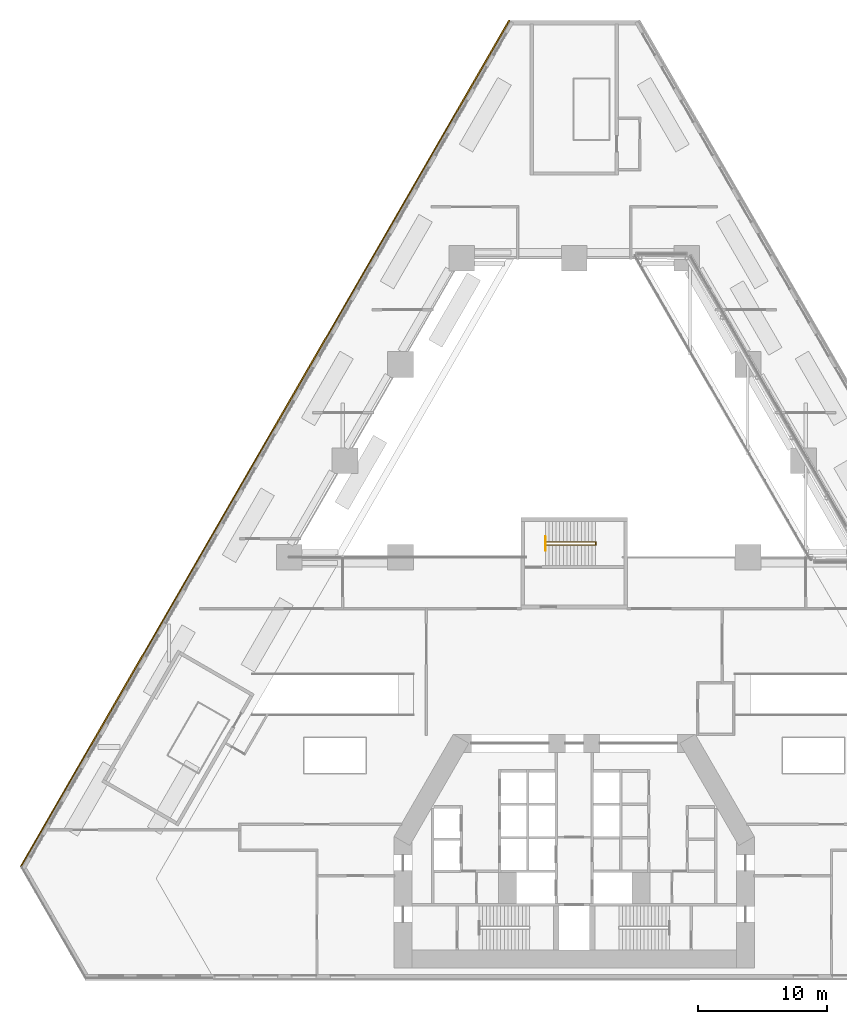
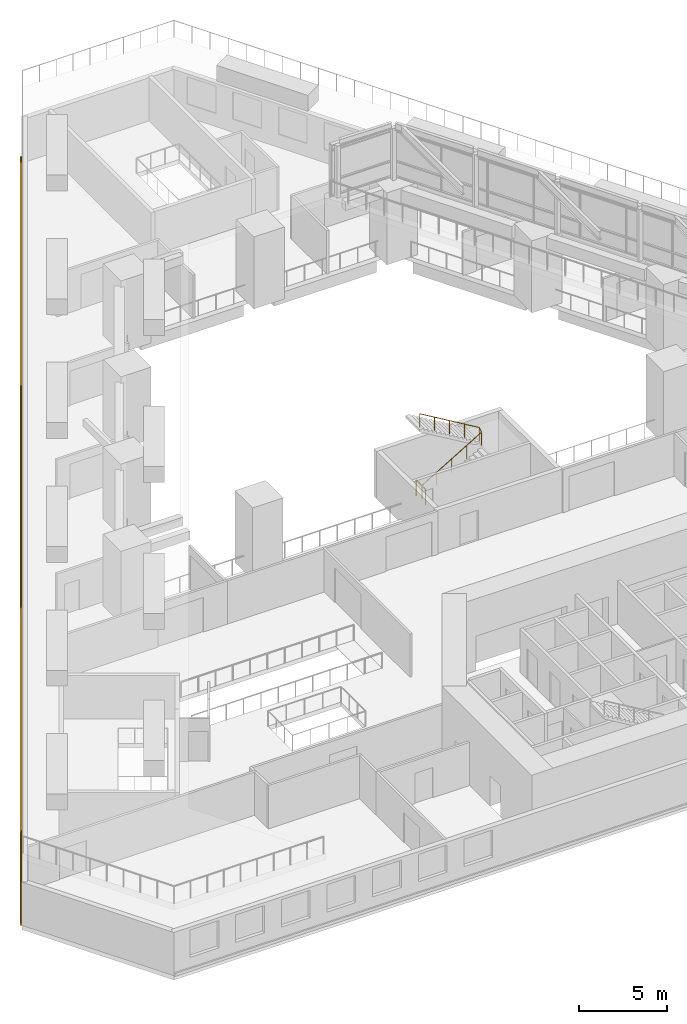
# One storey, part 17 of 19: 2 railings, 1 covering.
"""IFC4 building model written with IfcOpenShell, lengths in metres."""

from ifc_helpers import new_model, si_unit, direction, frame, origin, origin_2d, place, context, subcontext, project, spatial, polyline, circle, outline, extrude, material, type_object, element, save


model = new_model("IFC4")

# Units and contexts
model_context = context("Model", 3, precision=1e-05, world=origin(), true_north=direction((0.0, 1.0)))
body_context = subcontext(model_context, "Body", "Model", "MODEL_VIEW")
ifc_project = project(units=[si_unit("LENGTHUNIT", "METRE"), si_unit("AREAUNIT", "SQUARE_METRE"), si_unit("VOLUMEUNIT", "CUBIC_METRE"), si_unit("PLANEANGLEUNIT", "RADIAN"), si_unit("MASSUNIT", "GRAM", prefix="KILO")], contexts=[model_context])

# Site, building, storey
site_placement = place(None, origin())
site = spatial("IfcSite", under=ifc_project, at=site_placement, CompositionType="ELEMENT")
building_placement = place(site_placement, origin())
building = spatial("IfcBuilding", under=site, at=building_placement, Name="Fogline Exchange Tower", CompositionType="ELEMENT")
storey_placement = place(building_placement, frame((0.0, 0.0, 20.0)))
storey = spatial("IfcBuildingStorey", under=building, at=storey_placement, Name="L03", CompositionType="ELEMENT", Elevation=20.0)

# Railings
ifc_material_1 = material(Name="Steel Q235B", Category="steel")
railing_type_1 = type_object("IfcRailingType", Name="RL-GD", PredefinedType="GUARDRAIL", material=ifc_material_1)
railing_1_placement = place(storey_placement, frame((-2.239990234375, 33.306884765625, 0.0)))
element("IfcRailing", 1, at=railing_1_placement, inside=storey, type_object=railing_type_1, Name="Guard at well", PredefinedType="GUARDRAIL", context=body_context, shape_type="SweptSolid", body=[
    extrude(circle(Radius=0.02392578125, at=origin_2d()), frame((0.0, 0.0, 1.076171875), z_axis=(0.0, 1.0, 0.0), x_axis=(-1.0, 0.0, 0.0)), (0.0, 0.0, 1.0), 1.050048828125),
    extrude(circle(Radius=0.02099609375, at=origin_2d()), origin(), (0.0, 0.0, 1.0), 1.052001953125),
    extrude(circle(Radius=0.02099609375, at=origin_2d()), frame((0.0, 1.050048828125, 0.0)), (0.0, 0.0, 1.0), 1.052001953125),
])
railing_type_2 = type_object("IfcRailingType", Name="RL-HR", PredefinedType="HANDRAIL", material=ifc_material_1)
railing_2_placement = place(storey_placement, frame((-2.25, 33.70703125, 0.166748046875)))
element("IfcRailing", 2, at=railing_2_placement, inside=storey, type_object=railing_type_2, Name="Handrail ST3", PredefinedType="HANDRAIL", context=body_context, shape_type="SweptSolid", body=[
    extrude(circle(Radius=0.02392578125, at=origin_2d()), frame((0.0, 0.0, 0.92578125), z_axis=(0.859296244711, 0.0, 0.511478214419), x_axis=(0.0, 1.0, 0.0)), (0.0, 0.0, 1.0), 4.561767578125),
    extrude(circle(Radius=0.02392578125, at=origin_2d()), frame((3.919921875, 0.0, 3.25927734375), z_axis=(0.0, 0.831925284441, 0.554887665306), x_axis=(-1.0, 0.0, 0.0)), (0.0, 0.0, 1.0), 0.300537109375),
    extrude(circle(Radius=0.02392578125, at=origin_2d()), frame((3.919921875, 0.25, 3.42578125), z_axis=(-0.859296244711, 0.0, 0.511478214419), x_axis=(0.0, -1.0, 0.0)), (0.0, 0.0, 1.0), 4.561767578125),
    extrude(circle(Radius=0.02099609375, at=origin_2d()), origin(), (0.0, 0.0, 1.0), 0.90185546875),
    extrude(circle(Radius=0.02099609375, at=origin_2d()), frame((0.97998046875, 0.0, 0.583251953125)), (0.0, 0.0, 1.0), 0.90185546875),
    extrude(circle(Radius=0.02099609375, at=origin_2d()), frame((1.9599609375, 0.0, 1.16650390625)), (0.0, 0.0, 1.0), 0.90185546875),
    extrude(circle(Radius=0.02099609375, at=origin_2d()), frame((2.93994140625, 0.0, 1.75)), (0.0, 0.0, 1.0), 0.90185546875),
    extrude(circle(Radius=0.02099609375, at=origin_2d()), frame((3.919921875, 0.0, 2.333251953125)), (0.0, 0.0, 1.0), 0.90185546875),
    extrude(circle(Radius=0.02099609375, at=origin_2d()), frame((3.919921875, 0.25, 2.5)), (0.0, 0.0, 1.0), 0.90185546875),
    extrude(circle(Radius=0.02099609375, at=origin_2d()), frame((2.93994140625, 0.25, 3.083251953125)), (0.0, 0.0, 1.0), 0.90185546875),
    extrude(circle(Radius=0.02099609375, at=origin_2d()), frame((1.9599609375, 0.25, 3.66650390625)), (0.0, 0.0, 1.0), 0.90185546875),
    extrude(circle(Radius=0.02099609375, at=origin_2d()), frame((0.97998046875, 0.25, 4.25)), (0.0, 0.0, 1.0), 0.90185546875),
    extrude(circle(Radius=0.02099609375, at=origin_2d()), frame((0.0, 0.25, 4.833251953125)), (0.0, 0.0, 1.0), 0.90185546875),
])

# Covering
ifc_material_2 = material(Name="Brick masonry", Category="masonry")
covering_type = type_object("IfcCoveringType", Name="SB1", PredefinedType="CLADDING", material=ifc_material_2)
covering_placement = place(storey_placement, origin())
element("IfcCovering", 3, at=covering_placement, inside=storey, type_object=covering_type, Name="Stringcourse band L03 W", PredefinedType="CLADDING", context=body_context, shape_type="SweptSolid", body=[
    extrude(outline(polyline([(-5.0, 74.478271484375), (-5.086669921875, 74.5283203125), (-43.086669921875, 8.710205078125), (-43.0, 8.660400390625), (-5.0, 74.478271484375)])), origin(), (0.0, 0.0, 1.0), 0.199951171875),
])

save(model, "model.ifc")
